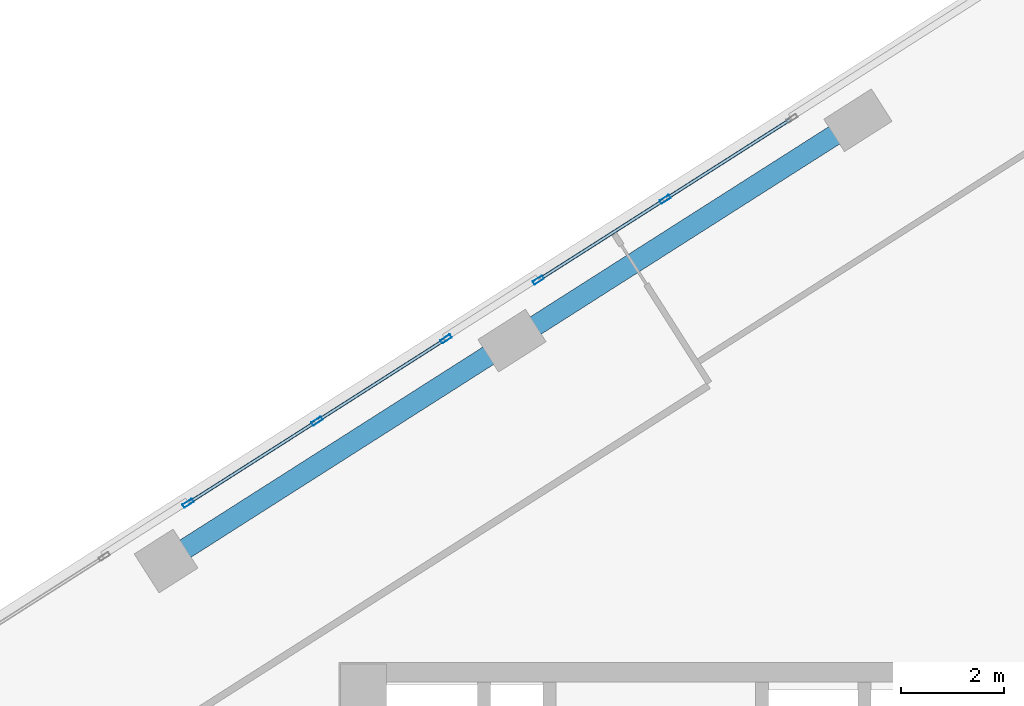
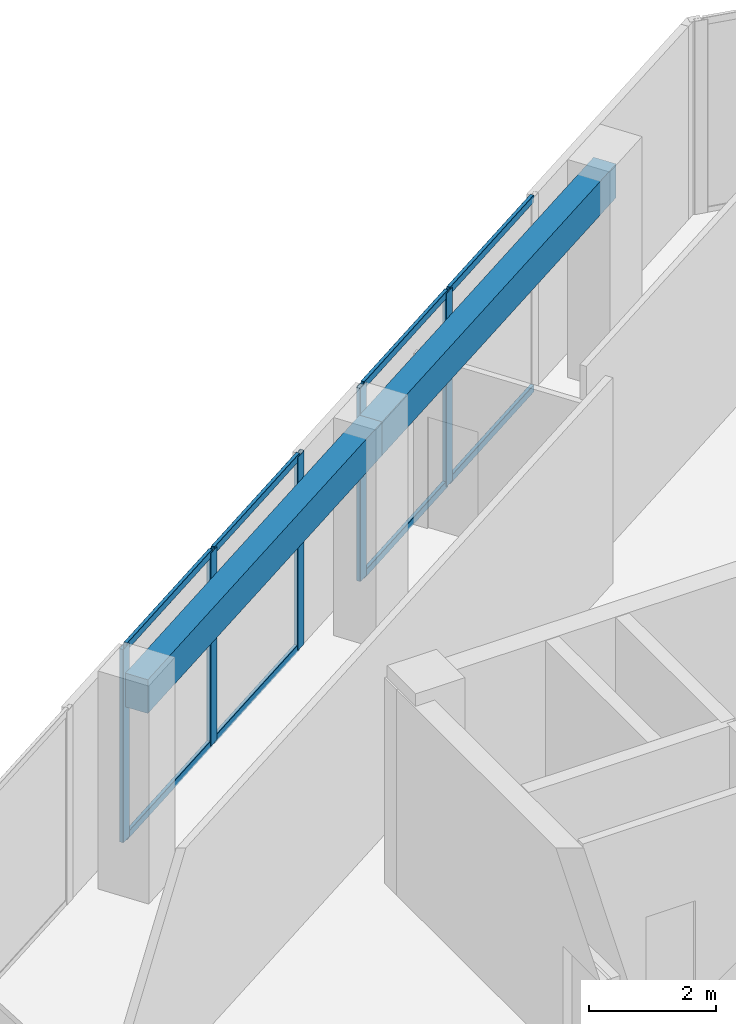
# One storey, part 8 of 15: 13 members, 2 beams, 2 elements without a shape of their own.
"""IFC4 building model written with IfcOpenShell, lengths in metres."""

from ifc_helpers import new_model, si_unit, direction, frame, origin, origin_2d, place, context, subcontext, project, spatial, rectangle, hollow_rectangle, extrude, source, transform, mapped, material, material_profile, profile_set, type_object, element, aggregate, save


model = new_model("IFC4")

# Units and contexts
model_context = context("Model", 3, precision=1e-05, world=origin(), true_north=direction((0.0, 1.0)))
body_context = subcontext(model_context, "Body", "Model", "MODEL_VIEW")
ifc_project = project(units=[si_unit("LENGTHUNIT", "METRE"), si_unit("AREAUNIT", "SQUARE_METRE"), si_unit("VOLUMEUNIT", "CUBIC_METRE"), si_unit("PLANEANGLEUNIT", "RADIAN"), si_unit("MASSUNIT", "GRAM", prefix="KILO")], contexts=[model_context])

# Site, building, storey
site_placement = place(None, origin())
site = spatial("IfcSite", under=ifc_project, at=site_placement, CompositionType="ELEMENT")
building_placement = place(site_placement, origin())
building = spatial("IfcBuilding", under=site, at=building_placement, Name="Torre Montelarca", CompositionType="ELEMENT")
storey_placement = place(building_placement, frame((0.0, 0.0, 311.39990234375)))
storey = spatial("IfcBuildingStorey", under=building, at=storey_placement, Name="L70", CompositionType="ELEMENT", Elevation=311.39990234375)

# Beams
ifc_material_1 = material(Name="Concrete C40/50", Category="concrete")
ifc_material_profile_1 = material_profile(ifc_material_1, rectangle(XDim=0.39990234375, YDim=0.64990234375, at=origin_2d()), Name="RCB400X650", Category="concrete")
ifc_profile_set_1 = profile_set([ifc_material_profile_1], Name="Concrete C40/50")
beam_type = type_object("IfcBeamType", Name="BM-SP-RC650-EXT", PredefinedType="SPANDREL", material=ifc_profile_set_1)
shared_shape_1 = source(origin(), body_context, "Body", "SweptSolid", [
    extrude(rectangle(XDim=0.39990234375, YDim=0.64990234375, at=origin_2d()), origin(), (0.0, 0.0, 1.0), 8.0),
])
for number, where, z_axis, x_axis, name in (
    (1, (5.699462890625, 41.91259765625, 3.635009765625), (0.843378636084, 0.537319715065, 0.0), (-0.537319715065, 0.843378636084, 0.0), "L70 Grid Girder Y 24.0-32.0 at X=4.7"),
    (2, (12.446533203125, 46.211181640625, 3.635009765625), (0.843392465414, 0.537298007891, 0.0), (-0.537298007891, 0.843392465414, 0.0), "L70 Grid Girder Y 32.0-40.0 at X=4.7"),
):
    element("IfcBeam", number, at=place(storey_placement, frame(where, z_axis=z_axis, x_axis=x_axis)), inside=storey, type_object=beam_type, Name=name, PredefinedType="SPANDREL", context=body_context, shape_type="MappedRepresentation", body=[
        mapped(shared_shape_1, transform((0.0, 0.0, 0.0), scale=1.0)),
    ])

# Curtain wall, members
ifc_material_2 = material(Name="Insulated low-E laminated glass", Category="glass")
curtain_wall_type = type_object("IfcCurtainWallType", Name="CW-SYS-Z4", PredefinedType="USERDEFINED", material=ifc_material_2)
curtain_wall_1_placement = place(storey_placement, origin())
curtain_wall_1 = element("IfcCurtainWall", 3, at=curtain_wall_1_placement, inside=storey, type_object=curtain_wall_type, Name="L70 Curtain Wall Run CW-T3-L70-E10-B1", ObjectType="UNITISED GLAZING", PredefinedType="USERDEFINED")
ifc_material_3 = material(Name="Anodised aluminium AA 6063-T6", Category="aluminium")
ifc_material_profile_2 = material_profile(ifc_material_3, hollow_rectangle(XDim=0.06494140625, YDim=0.139892578125, WallThickness=0.00390625, InnerFilletRadius=0.00390625, OuterFilletRadius=0.008056640625, at=origin_2d()), Name="ALU65X140X4", Category="aluminium")
ifc_profile_set_2 = profile_set([ifc_material_profile_2], Name="Anodised aluminium AA 6063-T6")
member_type_1 = type_object("IfcMemberType", Name="CWT-ALU140", PredefinedType="USERDEFINED", material=ifc_profile_set_2)
shared_shape_2 = source(origin(), body_context, "Body", "SweptSolid", [
    extrude(hollow_rectangle(XDim=0.06494140625, YDim=0.139892578125, WallThickness=0.00390625, InnerFilletRadius=0.00390625, OuterFilletRadius=0.008056640625, at=origin_2d()), origin(), (0.0, 0.0, 1.0), 2.857421875),
])
member_1_placement = place(storey_placement, frame((17.874755859375, 50.52294921875, 0.03271484375), z_axis=(-0.843372882121, -0.537328746395, 0.0), x_axis=(0.537328746395, -0.843372882121, 0.0)))
member_1 = element("IfcMember", 4, at=member_1_placement, type_object=member_type_1, Name="CW transom 1.1", ObjectType="TRANSOM", PredefinedType="USERDEFINED", context=body_context, shape_type="MappedRepresentation", body=[
    mapped(shared_shape_2, transform((0.0, 0.0, 0.0), scale=1.0)),
])
member_2_placement = place(storey_placement, frame((17.874755859375, 50.52294921875, 3.6875), z_axis=(-0.843372882121, -0.537328746395, 0.0), x_axis=(0.537328746395, -0.843372882121, 0.0)))
member_2 = element("IfcMember", 5, at=member_2_placement, type_object=member_type_1, Name="CW transom 1.2", ObjectType="TRANSOM", PredefinedType="USERDEFINED", context=body_context, shape_type="MappedRepresentation", body=[
    mapped(shared_shape_2, transform((0.0, 0.0, 0.0), scale=1.0)),
])
ifc_material_profile_3 = material_profile(ifc_material_3, hollow_rectangle(XDim=0.074951171875, YDim=0.219970703125, WallThickness=0.0048828125, InnerFilletRadius=0.0048828125, OuterFilletRadius=0.010009765625, at=origin_2d()), Name="ALU75X220X5", Category="aluminium")
ifc_profile_set_3 = profile_set([ifc_material_profile_3], Name="Anodised aluminium AA 6063-T6")
member_type_2 = type_object("IfcMemberType", Name="CWM-ALU220", PredefinedType="MULLION", material=ifc_profile_set_3)
shared_shape_3 = source(origin(), body_context, "Body", "SweptSolid", [
    extrude(hollow_rectangle(XDim=0.074951171875, YDim=0.219970703125, WallThickness=0.0048828125, InnerFilletRadius=0.0048828125, OuterFilletRadius=0.010009765625, at=origin_2d()), origin(), (0.0, 0.0, 1.0), 3.72021484375),
])
member_3_placement = place(storey_placement, frame((15.43310546875, 48.967529296875, 0.0), z_axis=(0.0, 0.0, 1.0), x_axis=(0.537300255878, -0.84339103329, 0.0)))
member_3 = element("IfcMember", 6, at=member_3_placement, type_object=member_type_2, Name="CW mullion 2", PredefinedType="MULLION", context=body_context, shape_type="MappedRepresentation", body=[
    mapped(shared_shape_3, transform((0.0, 0.0, 0.0), scale=1.0)),
])
member_4_placement = place(storey_placement, frame((12.9599609375, 47.391845703125, 0.0), z_axis=(0.0, 0.0, 1.0), x_axis=(0.537300255878, -0.84339103329, 0.0)))
member_4 = element("IfcMember", 7, at=member_4_placement, type_object=member_type_2, Name="CW mullion 3", PredefinedType="MULLION", context=body_context, shape_type="MappedRepresentation", body=[
    mapped(shared_shape_3, transform((0.0, 0.0, 0.0), scale=1.0)),
])

curtain_wall_2_placement = place(storey_placement, origin())
curtain_wall_2 = element("IfcCurtainWall", 8, at=curtain_wall_2_placement, inside=storey, type_object=curtain_wall_type, Name="L70 Curtain Wall Run CW-T3-L70-E10-B2", ObjectType="UNITISED GLAZING", PredefinedType="USERDEFINED")
member_5_placement = place(storey_placement, frame((11.159423828125, 46.244873046875, 0.0), z_axis=(0.0, 0.0, 1.0), x_axis=(0.537299653625, -0.843391416967, 0.0)))
member_5 = element("IfcMember", 9, at=member_5_placement, type_object=member_type_2, Name="CW mullion 1", PredefinedType="MULLION", context=body_context, shape_type="MappedRepresentation", body=[
    mapped(shared_shape_3, transform((0.0, 0.0, 0.0), scale=1.0)),
])
member_6_placement = place(storey_placement, frame((8.64404296875, 44.642333984375, 0.0), z_axis=(0.0, 0.0, 1.0), x_axis=(0.537299653625, -0.843391416967, 0.0)))
member_6 = element("IfcMember", 10, at=member_6_placement, type_object=member_type_2, Name="CW mullion 2", PredefinedType="MULLION", context=body_context, shape_type="MappedRepresentation", body=[
    mapped(shared_shape_3, transform((0.0, 0.0, 0.0), scale=1.0)),
])
member_7_placement = place(storey_placement, frame((6.12841796875, 43.039794921875, 0.0), z_axis=(0.0, 0.0, 1.0), x_axis=(0.537299653625, -0.843391416967, 0.0)))
member_7 = element("IfcMember", 11, at=member_7_placement, type_object=member_type_2, Name="CW mullion 3", PredefinedType="MULLION", context=body_context, shape_type="MappedRepresentation", body=[
    mapped(shared_shape_3, transform((0.0, 0.0, 0.0), scale=1.0)),
])

# Member
shared_shape_4 = source(origin(), body_context, "Body", "SweptSolid", [
    extrude(hollow_rectangle(XDim=0.06494140625, YDim=0.139892578125, WallThickness=0.00390625, InnerFilletRadius=0.00390625, OuterFilletRadius=0.008056640625, at=origin_2d()), origin(), (0.0, 0.0, 1.0), 2.857666015625),
])
member_8_placement = place(storey_placement, frame((15.401611328125, 48.947265625, 0.03271484375), z_axis=(-0.843436261332, -0.537229255597, 0.0), x_axis=(0.537229255597, -0.843436261332, 0.0)))
member_8 = element("IfcMember", 12, at=member_8_placement, type_object=member_type_1, Name="CW transom 2.1", ObjectType="TRANSOM", PredefinedType="USERDEFINED", context=body_context, shape_type="MappedRepresentation", body=[
    mapped(shared_shape_4, transform((0.0, 0.0, 0.0), scale=1.0)),
])

member_9_placement = place(storey_placement, frame((15.401611328125, 48.947265625, 3.6875), z_axis=(-0.843436261332, -0.537229255597, 0.0), x_axis=(0.537229255597, -0.843436261332, 0.0)))
member_9 = element("IfcMember", 13, at=member_9_placement, type_object=member_type_1, Name="CW transom 2.2", ObjectType="TRANSOM", PredefinedType="USERDEFINED", context=body_context, shape_type="MappedRepresentation", body=[
    mapped(shared_shape_4, transform((0.0, 0.0, 0.0), scale=1.0)),
])

aggregate(curtain_wall_1, [member_3, member_4, member_1, member_2, member_8, member_9])

shared_shape_5 = source(origin(), body_context, "Body", "SweptSolid", [
    extrude(hollow_rectangle(XDim=0.06494140625, YDim=0.139892578125, WallThickness=0.00390625, InnerFilletRadius=0.00390625, OuterFilletRadius=0.008056640625, at=origin_2d()), origin(), (0.0, 0.0, 1.0), 2.907470703125),
])
member_10_placement = place(storey_placement, frame((11.127685546875, 46.224609375, 0.03271484375), z_axis=(-0.843381312737, -0.53731551376, 0.0), x_axis=(0.53731551376, -0.843381312737, 0.0)))
member_10 = element("IfcMember", 14, at=member_10_placement, type_object=member_type_1, Name="CW transom 1.1", ObjectType="TRANSOM", PredefinedType="USERDEFINED", context=body_context, shape_type="MappedRepresentation", body=[
    mapped(shared_shape_5, transform((0.0, 0.0, 0.0), scale=1.0)),
])

member_11_placement = place(storey_placement, frame((11.127685546875, 46.224609375, 3.6875), z_axis=(-0.843381312737, -0.53731551376, 0.0), x_axis=(0.53731551376, -0.843381312737, 0.0)))
member_11 = element("IfcMember", 15, at=member_11_placement, type_object=member_type_1, Name="CW transom 1.2", ObjectType="TRANSOM", PredefinedType="USERDEFINED", context=body_context, shape_type="MappedRepresentation", body=[
    mapped(shared_shape_5, transform((0.0, 0.0, 0.0), scale=1.0)),
])

member_12_placement = place(storey_placement, frame((8.6123046875, 44.6220703125, 0.03271484375), z_axis=(-0.843381312737, -0.53731551376, 0.0), x_axis=(0.53731551376, -0.843381312737, 0.0)))
member_12 = element("IfcMember", 16, at=member_12_placement, type_object=member_type_1, Name="CW transom 2.1", ObjectType="TRANSOM", PredefinedType="USERDEFINED", context=body_context, shape_type="MappedRepresentation", body=[
    mapped(shared_shape_5, transform((0.0, 0.0, 0.0), scale=1.0)),
])

member_13_placement = place(storey_placement, frame((8.6123046875, 44.6220703125, 3.6875), z_axis=(-0.843381312737, -0.53731551376, 0.0), x_axis=(0.53731551376, -0.843381312737, 0.0)))
member_13 = element("IfcMember", 17, at=member_13_placement, type_object=member_type_1, Name="CW transom 2.2", ObjectType="TRANSOM", PredefinedType="USERDEFINED", context=body_context, shape_type="MappedRepresentation", body=[
    mapped(shared_shape_5, transform((0.0, 0.0, 0.0), scale=1.0)),
])

aggregate(curtain_wall_2, [member_5, member_6, member_7, member_10, member_11, member_12, member_13])

save(model, "model.ifc")
